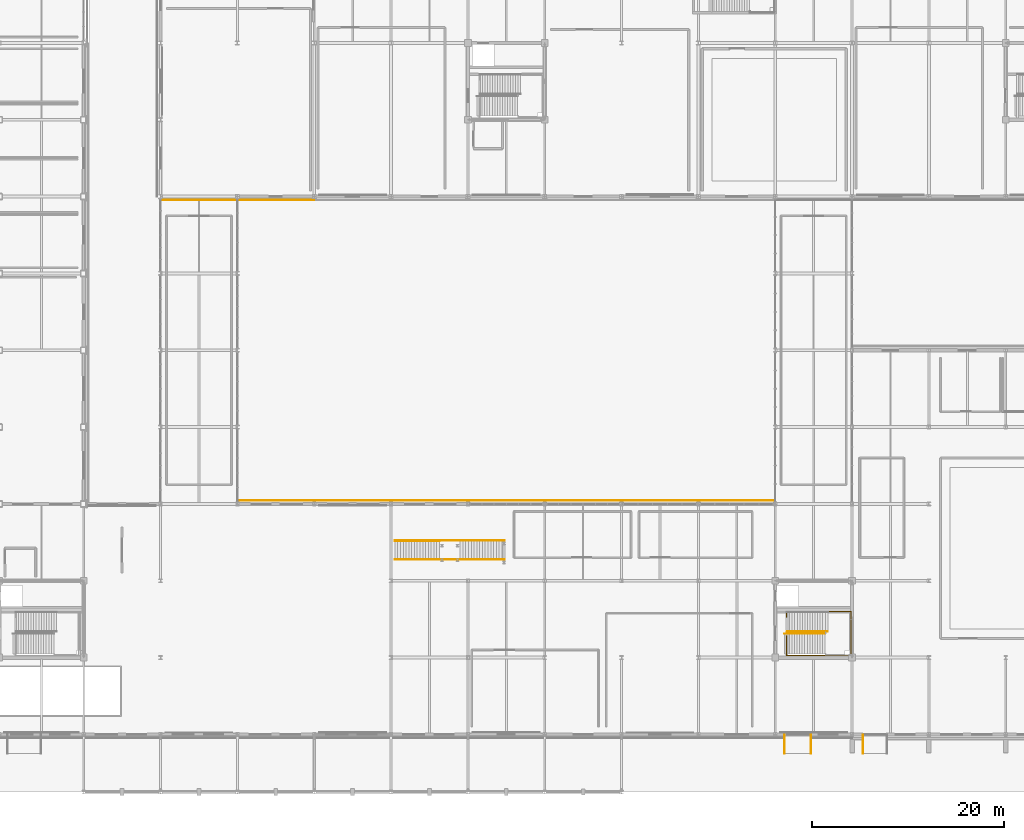
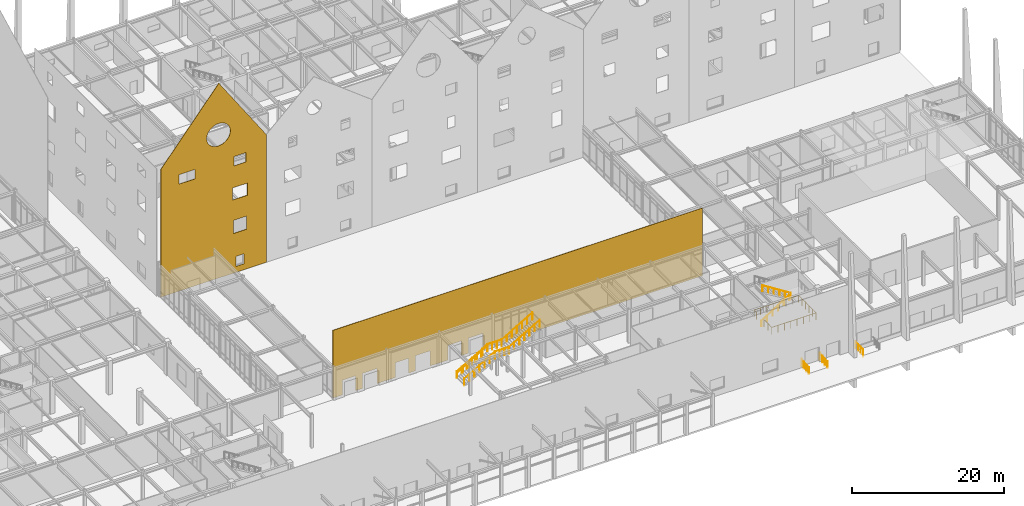
# One storey, part 104 of 119: 9 railings, 2 coverings, 12 openings.
"""IFC4 building model written with IfcOpenShell, lengths in metres."""

from ifc_helpers import new_model, si_unit, direction, frame, frame_2d, origin, origin_2d, place, context, subcontext, project, spatial, polyline, rectangle, circle, outline, extrude, material, layer, layer_set, type_object, element, save


model = new_model("IFC4")

# Units and contexts
model_context = context("Model", 3, precision=1e-05, world=origin(), true_north=direction((0.0, 1.0)))
body_context = subcontext(model_context, "Body", "Model", "MODEL_VIEW")
ifc_project = project(units=[si_unit("LENGTHUNIT", "METRE"), si_unit("AREAUNIT", "SQUARE_METRE"), si_unit("VOLUMEUNIT", "CUBIC_METRE"), si_unit("PLANEANGLEUNIT", "RADIAN"), si_unit("MASSUNIT", "GRAM", prefix="KILO")], contexts=[model_context])

# Site, building, storey
site_placement = place(None, origin())
site = spatial("IfcSite", under=ifc_project, at=site_placement, CompositionType="ELEMENT")
building_placement = place(site_placement, origin())
building = spatial("IfcBuilding", under=site, at=building_placement, Name="Zhaolan Boulevard Law Courts", CompositionType="ELEMENT")
storey_placement = place(building_placement, origin())
storey = spatial("IfcBuildingStorey", under=building, at=storey_placement, Name="L00", CompositionType="ELEMENT", Elevation=0.0)

# Railings
ifc_material_1 = material(Name="Brushed stainless steel tubular handrail", Category="steel")
railing_type_1 = type_object("IfcRailingType", Name="STAIR HANDRAIL 900", PredefinedType="HANDRAIL", material=ifc_material_1)
railing_1_placement = place(storey_placement, frame((116.949951171875, 16.47998046875, 0.0)))
element("IfcRailing", 1, at=railing_1_placement, inside=storey, type_object=railing_type_1, Name="Stair Handrail HR-ST05-L00-1", PredefinedType="HANDRAIL", context=body_context, shape_type="SweptSolid", body=[
    extrude(circle(Radius=0.0224609375, at=origin_2d()), frame((0.0, 0.0, 0.87744140625), z_axis=(0.843501457581, 0.0, 0.537126885437), x_axis=(0.0, 1.0, 0.0)), (0.0, 0.0, 1.0), 5.026611328125),
    extrude(circle(Radius=0.01904296875, at=origin_2d()), origin(), (0.0, 0.0, 1.0), 0.85498046875),
    extrude(circle(Radius=0.01904296875, at=origin_2d()), frame((0.847900390625, 0.0, 0.5400390625)), (0.0, 0.0, 1.0), 0.85498046875),
    extrude(circle(Radius=0.01904296875, at=origin_2d()), frame((1.696044921875, 0.0, 1.080078125)), (0.0, 0.0, 1.0), 0.85498046875),
    extrude(circle(Radius=0.01904296875, at=origin_2d()), frame((2.5439453125, 0.0, 1.619873046875)), (0.0, 0.0, 1.0), 0.85498046875),
    extrude(circle(Radius=0.01904296875, at=origin_2d()), frame((3.39208984375, 0.0, 2.159912109375)), (0.0, 0.0, 1.0), 0.85498046875),
    extrude(circle(Radius=0.01904296875, at=origin_2d()), frame((4.239990234375, 0.0, 2.699951171875)), (0.0, 0.0, 1.0), 0.85498046875),
])
railing_2_placement = place(storey_placement, frame((121.47509765625, 16.699951171875, 2.699951171875)))
element("IfcRailing", 2, at=railing_2_placement, inside=storey, type_object=railing_type_1, Name="Stair Handrail HR-ST05-L00-2", PredefinedType="HANDRAIL", context=body_context, shape_type="SweptSolid", body=[
    extrude(circle(Radius=0.0224609375, at=origin_2d()), frame((0.0, 0.0, 0.87744140625), z_axis=(-0.843501457581, 0.0, 0.537126885437), x_axis=(0.0, -1.0, 0.0)), (0.0, 0.0, 1.0), 5.026611328125),
    extrude(circle(Radius=0.01904296875, at=origin_2d()), origin(), (0.0, 0.0, 1.0), 0.85498046875),
    extrude(circle(Radius=0.01904296875, at=origin_2d()), frame((-0.847900390625, 0.0, 0.5400390625)), (0.0, 0.0, 1.0), 0.85498046875),
    extrude(circle(Radius=0.01904296875, at=origin_2d()), frame((-1.696044921875, 0.0, 1.080078125)), (0.0, 0.0, 1.0), 0.85498046875),
    extrude(circle(Radius=0.01904296875, at=origin_2d()), frame((-2.5439453125, 0.0, 1.619873046875)), (0.0, 0.0, 1.0), 0.85498046875),
    extrude(circle(Radius=0.01904296875, at=origin_2d()), frame((-3.39208984375, 0.0, 2.159912109375)), (0.0, 0.0, 1.0), 0.85498046875),
    extrude(circle(Radius=0.01904296875, at=origin_2d()), frame((-4.239990234375, 0.0, 2.699951171875)), (0.0, 0.0, 1.0), 0.85498046875),
])
railing_3_placement = place(storey_placement, frame((76.39990234375, 26.139892578125, 0.0)))
element("IfcRailing", 3, at=railing_3_placement, inside=storey, type_object=railing_type_1, Name="Stair Handrail HR-ST06-L00-1", PredefinedType="HANDRAIL", context=body_context, shape_type="SweptSolid", body=[
    extrude(circle(Radius=0.0224609375, at=origin_2d()), frame((0.0, 0.0, 0.87744140625), z_axis=(0.864329288335, 0.0, 0.502926317989), x_axis=(0.0, 1.0, 0.0)), (0.0, 0.0, 1.0), 5.368408203125),
    extrude(circle(Radius=0.01904296875, at=origin_2d()), origin(), (0.0, 0.0, 1.0), 0.85498046875),
    extrude(circle(Radius=0.01904296875, at=origin_2d()), frame((0.927978515625, 0.0, 0.5400390625)), (0.0, 0.0, 1.0), 0.85498046875),
    extrude(circle(Radius=0.01904296875, at=origin_2d()), frame((1.85595703125, 0.0, 1.080078125)), (0.0, 0.0, 1.0), 0.85498046875),
    extrude(circle(Radius=0.01904296875, at=origin_2d()), frame((2.7841796875, 0.0, 1.619873046875)), (0.0, 0.0, 1.0), 0.85498046875),
    extrude(circle(Radius=0.01904296875, at=origin_2d()), frame((3.712158203125, 0.0, 2.159912109375)), (0.0, 0.0, 1.0), 0.85498046875),
    extrude(circle(Radius=0.01904296875, at=origin_2d()), frame((4.64013671875, 0.0, 2.699951171875)), (0.0, 0.0, 1.0), 0.85498046875),
])
ifc_material_2 = material(Name="Powder-coated steel baluster guardrail", Category="steel")
railing_type_2 = type_object("IfcRailingType", Name="STAIR WELL GUARDRAIL 1120", PredefinedType="GUARDRAIL", material=ifc_material_2)
railing_4_placement = place(storey_placement, frame((117.18994140625, 16.25, 0.0)))
element("IfcRailing", 4, at=railing_4_placement, inside=storey, type_object=railing_type_2, Name="Stair-Well Floor Guardrail WG-ST05-B1", PredefinedType="GUARDRAIL", context=body_context, shape_type="SweptSolid", body=[
    extrude(circle(Radius=0.02392578125, at=origin_2d()), frame((0.0, 0.0, 1.09619140625), z_axis=(0.0, -1.0, 0.0), x_axis=(1.0, 0.0, 0.0)), (0.0, 0.0, 1.0), 2.050048828125),
    extrude(circle(Radius=0.02392578125, at=origin_2d()), frame((0.0, -2.050048828125, 1.09619140625), z_axis=(1.0, 0.0, 0.0), x_axis=(0.0, 1.0, 0.0)), (0.0, 0.0, 1.0), 6.7099609375),
    extrude(circle(Radius=0.02392578125, at=origin_2d()), frame((6.7099609375, -2.050048828125, 1.09619140625), z_axis=(0.0, 1.0, 0.0), x_axis=(-1.0, 0.0, 0.0)), (0.0, 0.0, 1.0), 4.60009765625),
    extrude(circle(Radius=0.02392578125, at=origin_2d()), frame((6.7099609375, 2.550048828125, 1.09619140625), z_axis=(-1.0, 0.0, 0.0), x_axis=(0.0, -1.0, 0.0)), (0.0, 0.0, 1.0), 6.7099609375),
    extrude(circle(Radius=0.02392578125, at=origin_2d()), frame((0.0, 2.550048828125, 1.09619140625), z_axis=(0.0, -1.0, 0.0), x_axis=(1.0, 0.0, 0.0)), (0.0, 0.0, 1.0), 0.60009765625),
    extrude(circle(Radius=0.02099609375, at=origin_2d()), origin(), (0.0, 0.0, 1.0), 1.072021484375),
    extrude(circle(Radius=0.02099609375, at=origin_2d()), frame((0.0, -1.02490234375, 0.0)), (0.0, 0.0, 1.0), 1.072021484375),
    extrude(circle(Radius=0.02099609375, at=origin_2d()), frame((0.0, -2.050048828125, 0.0)), (0.0, 0.0, 1.0), 1.072021484375),
    extrude(circle(Radius=0.02099609375, at=origin_2d()), frame((0.95849609375, -2.050048828125, 0.0)), (0.0, 0.0, 1.0), 1.072021484375),
    extrude(circle(Radius=0.02099609375, at=origin_2d()), frame((1.917236328125, -2.050048828125, 0.0)), (0.0, 0.0, 1.0), 1.072021484375),
    extrude(circle(Radius=0.02099609375, at=origin_2d()), frame((2.875732421875, -2.050048828125, 0.0)), (0.0, 0.0, 1.0), 1.072021484375),
    extrude(circle(Radius=0.02099609375, at=origin_2d()), frame((3.834228515625, -2.050048828125, 0.0)), (0.0, 0.0, 1.0), 1.072021484375),
    extrude(circle(Radius=0.02099609375, at=origin_2d()), frame((4.792724609375, -2.050048828125, 0.0)), (0.0, 0.0, 1.0), 1.072021484375),
    extrude(circle(Radius=0.02099609375, at=origin_2d()), frame((5.75146484375, -2.050048828125, 0.0)), (0.0, 0.0, 1.0), 1.072021484375),
    extrude(circle(Radius=0.02099609375, at=origin_2d()), frame((6.7099609375, -2.050048828125, 0.0)), (0.0, 0.0, 1.0), 1.072021484375),
    extrude(circle(Radius=0.02099609375, at=origin_2d()), frame((6.7099609375, -1.130126953125, 0.0)), (0.0, 0.0, 1.0), 1.072021484375),
    extrude(circle(Radius=0.02099609375, at=origin_2d()), frame((6.7099609375, -0.2099609375, 0.0)), (0.0, 0.0, 1.0), 1.072021484375),
    extrude(circle(Radius=0.02099609375, at=origin_2d()), frame((6.7099609375, 0.7099609375, 0.0)), (0.0, 0.0, 1.0), 1.072021484375),
    extrude(circle(Radius=0.02099609375, at=origin_2d()), frame((6.7099609375, 1.630126953125, 0.0)), (0.0, 0.0, 1.0), 1.072021484375),
    extrude(circle(Radius=0.02099609375, at=origin_2d()), frame((6.7099609375, 2.550048828125, 0.0)), (0.0, 0.0, 1.0), 1.072021484375),
    extrude(circle(Radius=0.02099609375, at=origin_2d()), frame((5.75146484375, 2.550048828125, 0.0)), (0.0, 0.0, 1.0), 1.072021484375),
    extrude(circle(Radius=0.02099609375, at=origin_2d()), frame((4.792724609375, 2.550048828125, 0.0)), (0.0, 0.0, 1.0), 1.072021484375),
    extrude(circle(Radius=0.02099609375, at=origin_2d()), frame((3.834228515625, 2.550048828125, 0.0)), (0.0, 0.0, 1.0), 1.072021484375),
    extrude(circle(Radius=0.02099609375, at=origin_2d()), frame((2.875732421875, 2.550048828125, 0.0)), (0.0, 0.0, 1.0), 1.072021484375),
    extrude(circle(Radius=0.02099609375, at=origin_2d()), frame((1.917236328125, 2.550048828125, 0.0)), (0.0, 0.0, 1.0), 1.072021484375),
    extrude(circle(Radius=0.02099609375, at=origin_2d()), frame((0.95849609375, 2.550048828125, 0.0)), (0.0, 0.0, 1.0), 1.072021484375),
    extrude(circle(Radius=0.02099609375, at=origin_2d()), frame((0.0, 2.550048828125, 0.0)), (0.0, 0.0, 1.0), 1.072021484375),
    extrude(circle(Radius=0.02099609375, at=origin_2d()), frame((0.0, 1.949951171875, 0.0)), (0.0, 0.0, 1.0), 1.072021484375),
])
railing_5_placement = place(storey_placement, frame((76.39990234375, 24.22998046875, 0.0)))
element("IfcRailing", 5, at=railing_5_placement, inside=storey, type_object=railing_type_2, Name="Grand Stair Guardrail SG-ST06-1", PredefinedType="GUARDRAIL", context=body_context, shape_type="SweptSolid", body=[
    extrude(circle(Radius=0.02392578125, at=origin_2d()), frame((0.0, 0.0, 1.09619140625), z_axis=(0.864329288335, 0.0, 0.502926317989), x_axis=(0.0, 1.0, 0.0)), (0.0, 0.0, 1.0), 5.368408203125),
    extrude(circle(Radius=0.02392578125, at=origin_2d()), frame((4.64013671875, 0.0, 3.7958984375), z_axis=(1.0, 0.0, 0.0), x_axis=(0.0, 1.0, 0.0)), (0.0, 0.0, 1.0), 2.14990234375),
    extrude(circle(Radius=0.02392578125, at=origin_2d()), frame((6.7900390625, 0.0, 3.7958984375), z_axis=(0.864329288335, 0.0, 0.502926317989), x_axis=(0.0, 1.0, 0.0)), (0.0, 0.0, 1.0), 5.368408203125),
    extrude(circle(Radius=0.02099609375, at=origin_2d()), origin(), (0.0, 0.0, 1.0), 1.072021484375),
    extrude(circle(Radius=0.02099609375, at=origin_2d()), frame((0.7734375, 0.0, 0.449951171875)), (0.0, 0.0, 1.0), 1.072021484375),
    extrude(circle(Radius=0.02099609375, at=origin_2d()), frame((1.546630859375, 0.0, 0.89990234375)), (0.0, 0.0, 1.0), 1.072021484375),
    extrude(circle(Radius=0.02099609375, at=origin_2d()), frame((2.320068359375, 0.0, 1.35009765625)), (0.0, 0.0, 1.0), 1.072021484375),
    extrude(circle(Radius=0.02099609375, at=origin_2d()), frame((3.093505859375, 0.0, 1.800048828125)), (0.0, 0.0, 1.0), 1.072021484375),
    extrude(circle(Radius=0.02099609375, at=origin_2d()), frame((3.86669921875, 0.0, 2.25)), (0.0, 0.0, 1.0), 1.072021484375),
    extrude(circle(Radius=0.02099609375, at=origin_2d()), frame((4.64013671875, 0.0, 2.699951171875)), (0.0, 0.0, 1.0), 1.072021484375),
    extrude(circle(Radius=0.02099609375, at=origin_2d()), frame((5.356689453125, 0.0, 2.699951171875)), (0.0, 0.0, 1.0), 1.072021484375),
    extrude(circle(Radius=0.02099609375, at=origin_2d()), frame((6.073486328125, 0.0, 2.699951171875)), (0.0, 0.0, 1.0), 1.072021484375),
    extrude(circle(Radius=0.02099609375, at=origin_2d()), frame((6.7900390625, 0.0, 2.699951171875)), (0.0, 0.0, 1.0), 1.072021484375),
    extrude(circle(Radius=0.02099609375, at=origin_2d()), frame((7.5634765625, 0.0, 3.14990234375)), (0.0, 0.0, 1.0), 1.072021484375),
    extrude(circle(Radius=0.02099609375, at=origin_2d()), frame((8.336669921875, 0.0, 3.599853515625)), (0.0, 0.0, 1.0), 1.072021484375),
    extrude(circle(Radius=0.02099609375, at=origin_2d()), frame((9.110107421875, 0.0, 4.0498046875)), (0.0, 0.0, 1.0), 1.072021484375),
    extrude(circle(Radius=0.02099609375, at=origin_2d()), frame((9.883544921875, 0.0, 4.5)), (0.0, 0.0, 1.0), 1.072021484375),
    extrude(circle(Radius=0.02099609375, at=origin_2d()), frame((10.65673828125, 0.0, 4.949951171875)), (0.0, 0.0, 1.0), 1.072021484375),
    extrude(circle(Radius=0.02099609375, at=origin_2d()), frame((11.43017578125, 0.0, 5.39990234375)), (0.0, 0.0, 1.0), 1.072021484375),
])
railing_6_placement = place(storey_placement, frame((76.39990234375, 26.169921875, 0.0)))
element("IfcRailing", 6, at=railing_6_placement, inside=storey, type_object=railing_type_2, Name="Grand Stair Guardrail SG-ST06-2", PredefinedType="GUARDRAIL", context=body_context, shape_type="SweptSolid", body=[
    extrude(circle(Radius=0.02392578125, at=origin_2d()), frame((0.0, 0.0, 1.09619140625), z_axis=(0.864329288335, 0.0, 0.502926317989), x_axis=(0.0, 1.0, 0.0)), (0.0, 0.0, 1.0), 5.368408203125),
    extrude(circle(Radius=0.02392578125, at=origin_2d()), frame((4.64013671875, 0.0, 3.7958984375), z_axis=(1.0, 0.0, 0.0), x_axis=(0.0, 1.0, 0.0)), (0.0, 0.0, 1.0), 2.14990234375),
    extrude(circle(Radius=0.02392578125, at=origin_2d()), frame((6.7900390625, 0.0, 3.7958984375), z_axis=(0.864329288335, 0.0, 0.502926317989), x_axis=(0.0, 1.0, 0.0)), (0.0, 0.0, 1.0), 5.368408203125),
    extrude(circle(Radius=0.02099609375, at=origin_2d()), origin(), (0.0, 0.0, 1.0), 1.072021484375),
    extrude(circle(Radius=0.02099609375, at=origin_2d()), frame((0.7734375, 0.0, 0.449951171875)), (0.0, 0.0, 1.0), 1.072021484375),
    extrude(circle(Radius=0.02099609375, at=origin_2d()), frame((1.546630859375, 0.0, 0.89990234375)), (0.0, 0.0, 1.0), 1.072021484375),
    extrude(circle(Radius=0.02099609375, at=origin_2d()), frame((2.320068359375, 0.0, 1.35009765625)), (0.0, 0.0, 1.0), 1.072021484375),
    extrude(circle(Radius=0.02099609375, at=origin_2d()), frame((3.093505859375, 0.0, 1.800048828125)), (0.0, 0.0, 1.0), 1.072021484375),
    extrude(circle(Radius=0.02099609375, at=origin_2d()), frame((3.86669921875, 0.0, 2.25)), (0.0, 0.0, 1.0), 1.072021484375),
    extrude(circle(Radius=0.02099609375, at=origin_2d()), frame((4.64013671875, 0.0, 2.699951171875)), (0.0, 0.0, 1.0), 1.072021484375),
    extrude(circle(Radius=0.02099609375, at=origin_2d()), frame((5.356689453125, 0.0, 2.699951171875)), (0.0, 0.0, 1.0), 1.072021484375),
    extrude(circle(Radius=0.02099609375, at=origin_2d()), frame((6.073486328125, 0.0, 2.699951171875)), (0.0, 0.0, 1.0), 1.072021484375),
    extrude(circle(Radius=0.02099609375, at=origin_2d()), frame((6.7900390625, 0.0, 2.699951171875)), (0.0, 0.0, 1.0), 1.072021484375),
    extrude(circle(Radius=0.02099609375, at=origin_2d()), frame((7.5634765625, 0.0, 3.14990234375)), (0.0, 0.0, 1.0), 1.072021484375),
    extrude(circle(Radius=0.02099609375, at=origin_2d()), frame((8.336669921875, 0.0, 3.599853515625)), (0.0, 0.0, 1.0), 1.072021484375),
    extrude(circle(Radius=0.02099609375, at=origin_2d()), frame((9.110107421875, 0.0, 4.0498046875)), (0.0, 0.0, 1.0), 1.072021484375),
    extrude(circle(Radius=0.02099609375, at=origin_2d()), frame((9.883544921875, 0.0, 4.5)), (0.0, 0.0, 1.0), 1.072021484375),
    extrude(circle(Radius=0.02099609375, at=origin_2d()), frame((10.65673828125, 0.0, 4.949951171875)), (0.0, 0.0, 1.0), 1.072021484375),
    extrude(circle(Radius=0.02099609375, at=origin_2d()), frame((11.43017578125, 0.0, 5.39990234375)), (0.0, 0.0, 1.0), 1.072021484375),
])
for number, where, name in (
    (7, (116.9599609375, 4.010009765625, -0.159912109375), "Accessible Ramp Guardrail RHR-02"),
    (8, (119.739990234375, 4.010009765625, -0.159912109375), "Accessible Ramp Guardrail RHR-02B"),
    (9, (125.159912109375, 4.010009765625, -0.159912109375), "Accessible Ramp Guardrail RHR-03"),
):
    element("IfcRailing", number, at=place(storey_placement, frame(where)), inside=storey, type_object=railing_type_2, Name=name, PredefinedType="GUARDRAIL", context=body_context, shape_type="SweptSolid", body=[
        extrude(circle(Radius=0.02392578125, at=origin_2d()), frame((0.0, 0.0, 1.09619140625), z_axis=(0.0, 0.996688107788, 0.08131922155), x_axis=(-1.0, 0.0, 0.0)), (0.0, 0.0, 1.0), 1.966552734375),
        extrude(circle(Radius=0.02099609375, at=origin_2d()), origin(), (0.0, 0.0, 1.0), 1.072021484375),
        extrude(circle(Radius=0.02099609375, at=origin_2d()), frame((0.0, 0.6533203125, 0.05322265625)), (0.0, 0.0, 1.0), 1.072021484375),
        extrude(circle(Radius=0.02099609375, at=origin_2d()), frame((0.0, 1.306640625, 0.106689453125)), (0.0, 0.0, 1.0), 1.072021484375),
        extrude(circle(Radius=0.02099609375, at=origin_2d()), frame((0.0, 1.9599609375, 0.159912109375)), (0.0, 0.0, 1.0), 1.072021484375),
    ])

# Covering, openings
ifc_material_3 = material(Name="Pale mist-grey standing-seam Al-Mg-Mn zinc-titanium")
ifc_layer = layer(ifc_material_3, 0.050048828125)
ifc_layer_set = layer_set([ifc_layer])
covering_type = type_object("IfcCoveringType", Name="STANDING SEAM CLADDING 50", PredefinedType="CLADDING", material=ifc_layer_set)
covering_1_placement = place(storey_placement, frame((52.0, 61.635009765625, 0.0), z_axis=(0.0, 0.0, 1.0), x_axis=(1.0, 0.0, 0.0)))
covering_1 = element("IfcCovering", 10, at=covering_1_placement, inside=storey, type_object=covering_type, Name="Standing-Seam Metal Wall Wrap SSC-001", PredefinedType="CLADDING", context=body_context, shape_type="SweptSolid", body=[
    extrude(outline(polyline([(0.0, 0.0), (16.0, 0.0), (16.0, 20.449951171875), (8.800048828125, 31.199951171875), (0.0, 20.449951171875), (0.0, 0.0)])), frame((0.0, 0.02490234375, 0.0), z_axis=(0.0, -1.0, 0.0), x_axis=(1.0, 0.0, 0.0)), (0.0, 0.0, 1.0), 0.050048828125),
])
opening_1_placement = place(storey_placement, frame((63.375, 61.635009765625, 0.949951171875), z_axis=(0.0, 0.0, 1.0), x_axis=(1.0, 0.0, 0.0)))
element("IfcOpeningElement", 11, at=opening_1_placement, cuts=covering_1, Name="Cladding Void WIN-L00-033", PredefinedType="OPENING", context=body_context, shape_type="SweptSolid", body=[
    extrude(rectangle(XDim=1.25, YDim=1.60009765625, at=frame_2d((0.625, 0.800048828125))), frame((0.0, 0.14990234375, 0.0), z_axis=(0.0, -1.0, 0.0), x_axis=(1.0, 0.0, 0.0)), (0.0, 0.0, 1.0), 0.300048828125),
])
opening_2_placement = place(storey_placement, frame((63.0, 61.635009765625, 6.35009765625), z_axis=(0.0, 0.0, 1.0), x_axis=(1.0, 0.0, 0.0)))
element("IfcOpeningElement", 12, at=opening_2_placement, cuts=covering_1, Name="Cladding Void WIN-L01-062", PredefinedType="OPENING", context=body_context, shape_type="SweptSolid", body=[
    extrude(rectangle(XDim=2.0, YDim=2.10009765625, at=frame_2d((1.0, 1.050048828125))), frame((0.0, 0.14990234375, 0.0), z_axis=(0.0, -1.0, 0.0), x_axis=(1.0, 0.0, 0.0)), (0.0, 0.0, 1.0), 0.300048828125),
])
opening_3_placement = place(storey_placement, frame((62.875, 61.635009765625, 11.75), z_axis=(0.0, 0.0, 1.0), x_axis=(1.0, 0.0, 0.0)))
element("IfcOpeningElement", 13, at=opening_3_placement, cuts=covering_1, Name="Cladding Void WIN-L02-094", PredefinedType="OPENING", context=body_context, shape_type="SweptSolid", body=[
    extrude(rectangle(XDim=2.25, YDim=1.949951171875, at=frame_2d((1.125, 0.97509765625))), frame((0.0, 0.14990234375, 0.0), z_axis=(0.0, -1.0, 0.0), x_axis=(1.0, 0.0, 0.0)), (0.0, 0.0, 1.0), 0.300048828125),
])
opening_4_placement = place(storey_placement, frame((54.800048828125, 61.635009765625, 17.14990234375), z_axis=(0.0, 0.0, 1.0), x_axis=(1.0, 0.0, 0.0)))
element("IfcOpeningElement", 14, at=opening_4_placement, cuts=covering_1, Name="Cladding Void WIN-L03-127", PredefinedType="OPENING", context=body_context, shape_type="SweptSolid", body=[
    extrude(rectangle(XDim=2.39990234375, YDim=1.5, at=frame_2d((1.199951171875, 0.75))), frame((0.0, 0.14990234375, 0.0), z_axis=(0.0, -1.0, 0.0), x_axis=(1.0, 0.0, 0.0)), (0.0, 0.0, 1.0), 0.300048828125),
])
opening_5_placement = place(storey_placement, frame((63.10009765625, 61.635009765625, 17.14990234375), z_axis=(0.0, 0.0, 1.0), x_axis=(1.0, 0.0, 0.0)))
element("IfcOpeningElement", 15, at=opening_5_placement, cuts=covering_1, Name="Cladding Void WIN-L03-128", PredefinedType="OPENING", context=body_context, shape_type="SweptSolid", body=[
    extrude(rectangle(XDim=1.800048828125, YDim=1.5, at=frame_2d((0.89990234375, 0.75))), frame((0.0, 0.14990234375, 0.0), z_axis=(0.0, -1.0, 0.0), x_axis=(1.0, 0.0, 0.0)), (0.0, 0.0, 1.0), 0.300048828125),
])
opening_6_placement = place(storey_placement, frame((58.945068359375, 61.635009765625, 21.169921875), z_axis=(0.0, 0.0, 1.0), x_axis=(1.0, 0.0, 0.0)))
element("IfcOpeningElement", 16, at=opening_6_placement, cuts=covering_1, Name="Cladding Void OC-T1S", PredefinedType="OPENING", context=body_context, shape_type="SweptSolid", body=[
    extrude(outline(polyline([(3.60009765625, 1.800048828125), (3.57275390625, 2.112548828125), (3.491455078125, 2.41552734375), (3.35888671875, 2.699951171875), (3.178955078125, 2.95703125), (2.95703125, 3.178955078125), (2.699951171875, 3.35888671875), (2.41552734375, 3.491455078125), (2.112548828125, 3.57275390625), (1.800048828125, 3.60009765625), (1.487548828125, 3.57275390625), (1.184326171875, 3.491455078125), (0.89990234375, 3.35888671875), (0.64306640625, 3.178955078125), (0.421142578125, 2.95703125), (0.2412109375, 2.699951171875), (0.108642578125, 2.41552734375), (0.02734375, 2.112548828125), (0.0, 1.800048828125), (0.02734375, 1.487548828125), (0.108642578125, 1.184326171875), (0.2412109375, 0.89990234375), (0.421142578125, 0.64306640625), (0.64306640625, 0.421142578125), (0.89990234375, 0.2412109375), (1.184326171875, 0.108642578125), (1.487548828125, 0.02734375), (1.800048828125, 0.0), (2.112548828125, 0.02734375), (2.41552734375, 0.108642578125), (2.699951171875, 0.2412109375), (2.95703125, 0.421142578125), (3.178955078125, 0.64306640625), (3.35888671875, 0.89990234375), (3.491455078125, 1.184326171875), (3.57275390625, 1.487548828125), (3.60009765625, 1.800048828125)])), frame((0.0, 0.14990234375, 0.0), z_axis=(0.0, -1.0, 0.0), x_axis=(1.0, 0.0, 0.0)), (0.0, 0.0, 1.0), 0.300048828125),
])

covering_2_placement = place(storey_placement, frame((116.0, 30.364990234375, 0.0), z_axis=(0.0, 0.0, 1.0), x_axis=(-1.0, 0.0, 0.0)))
covering_2 = element("IfcCovering", 17, at=covering_2_placement, inside=storey, type_object=covering_type, Name="Standing-Seam Metal Wall Wrap SSC-038", PredefinedType="CLADDING", context=body_context, shape_type="SweptSolid", body=[
    extrude(rectangle(XDim=56.0, YDim=0.050048828125, at=frame_2d((28.0, 0.0))), origin(), (0.0, 0.0, 1.0), 10.85009765625),
])
opening_7_placement = place(storey_placement, frame((66.72998046875, 30.364990234375, 0.0), z_axis=(0.0, 0.0, 1.0), x_axis=(-1.0, 0.0, 0.0)))
element("IfcOpeningElement", 18, at=opening_7_placement, cuts=covering_2, Name="Cladding Void ED-19", PredefinedType="OPENING", context=body_context, shape_type="SweptSolid", body=[
    extrude(rectangle(XDim=2.199951171875, YDim=2.39990234375, at=frame_2d((1.10009765625, 1.199951171875))), frame((0.0, 0.14990234375, 0.0), z_axis=(0.0, -1.0, 0.0), x_axis=(1.0, 0.0, 0.0)), (0.0, 0.0, 1.0), 0.300048828125),
])
opening_8_placement = place(storey_placement, frame((63.469970703125, 30.364990234375, 0.0), z_axis=(0.0, 0.0, 1.0), x_axis=(-1.0, 0.0, 0.0)))
element("IfcOpeningElement", 19, at=opening_8_placement, cuts=covering_2, Name="Cladding Void ED-20", PredefinedType="OPENING", context=body_context, shape_type="SweptSolid", body=[
    extrude(rectangle(XDim=2.0, YDim=2.35009765625, at=frame_2d((1.0, 1.175048828125))), frame((0.0, 0.14990234375, 0.0), z_axis=(0.0, -1.0, 0.0), x_axis=(1.0, 0.0, 0.0)), (0.0, 0.0, 1.0), 0.300048828125),
])
opening_9_placement = place(storey_placement, frame((74.72998046875, 30.364990234375, 0.0), z_axis=(0.0, 0.0, 1.0), x_axis=(-1.0, 0.0, 0.0)))
element("IfcOpeningElement", 20, at=opening_9_placement, cuts=covering_2, Name="Cladding Void ED-21", PredefinedType="OPENING", context=body_context, shape_type="SweptSolid", body=[
    extrude(rectangle(XDim=2.199951171875, YDim=2.39990234375, at=frame_2d((1.10009765625, 1.199951171875))), frame((0.0, 0.14990234375, 0.0), z_axis=(0.0, -1.0, 0.0), x_axis=(1.0, 0.0, 0.0)), (0.0, 0.0, 1.0), 0.300048828125),
])
opening_10_placement = place(storey_placement, frame((71.469970703125, 30.364990234375, 0.0), z_axis=(0.0, 0.0, 1.0), x_axis=(-1.0, 0.0, 0.0)))
element("IfcOpeningElement", 21, at=opening_10_placement, cuts=covering_2, Name="Cladding Void ED-22", PredefinedType="OPENING", context=body_context, shape_type="SweptSolid", body=[
    extrude(rectangle(XDim=2.0, YDim=2.35009765625, at=frame_2d((1.0, 1.175048828125))), frame((0.0, 0.14990234375, 0.0), z_axis=(0.0, -1.0, 0.0), x_axis=(1.0, 0.0, 0.0)), (0.0, 0.0, 1.0), 0.300048828125),
])
opening_11_placement = place(storey_placement, frame((82.72998046875, 30.364990234375, 0.0), z_axis=(0.0, 0.0, 1.0), x_axis=(-1.0, 0.0, 0.0)))
element("IfcOpeningElement", 22, at=opening_11_placement, cuts=covering_2, Name="Cladding Void ED-23", PredefinedType="OPENING", context=body_context, shape_type="SweptSolid", body=[
    extrude(rectangle(XDim=2.199951171875, YDim=2.39990234375, at=frame_2d((1.10009765625, 1.199951171875))), frame((0.0, 0.14990234375, 0.0), z_axis=(0.0, -1.0, 0.0), x_axis=(1.0, 0.0, 0.0)), (0.0, 0.0, 1.0), 0.300048828125),
])
opening_12_placement = place(storey_placement, frame((79.469970703125, 30.364990234375, 0.0), z_axis=(0.0, 0.0, 1.0), x_axis=(-1.0, 0.0, 0.0)))
element("IfcOpeningElement", 23, at=opening_12_placement, cuts=covering_2, Name="Cladding Void ED-24", PredefinedType="OPENING", context=body_context, shape_type="SweptSolid", body=[
    extrude(rectangle(XDim=2.0, YDim=2.35009765625, at=frame_2d((1.0, 1.175048828125))), frame((0.0, 0.14990234375, 0.0), z_axis=(0.0, -1.0, 0.0), x_axis=(1.0, 0.0, 0.0)), (0.0, 0.0, 1.0), 0.300048828125),
])

save(model, "model.ifc")
